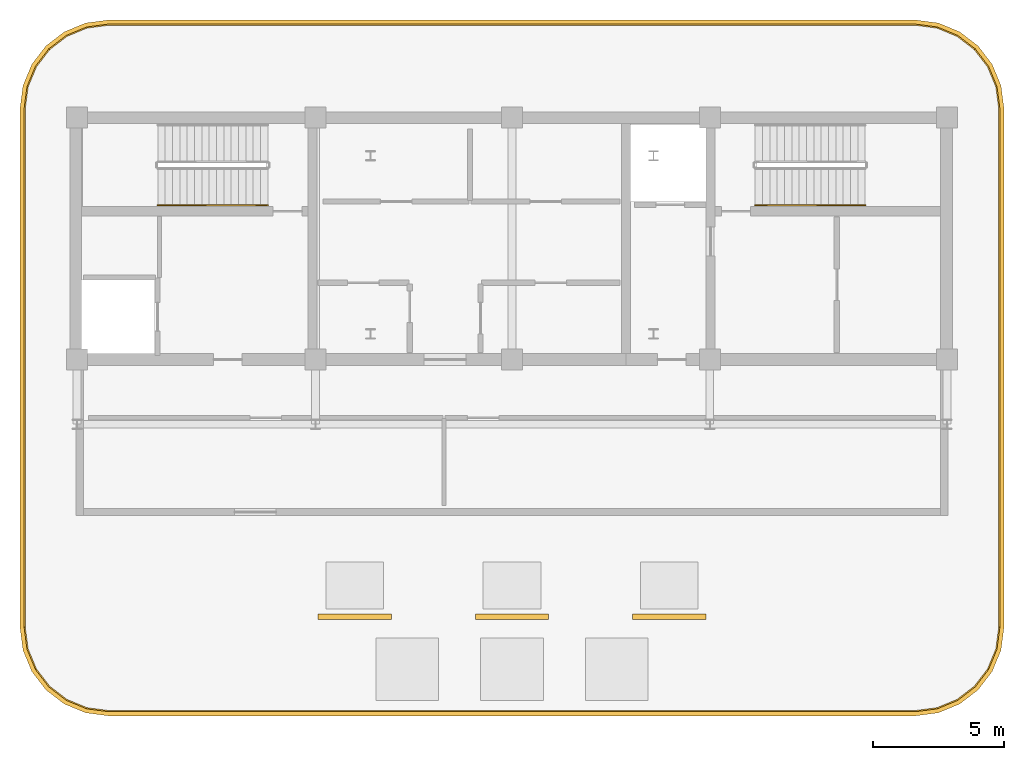
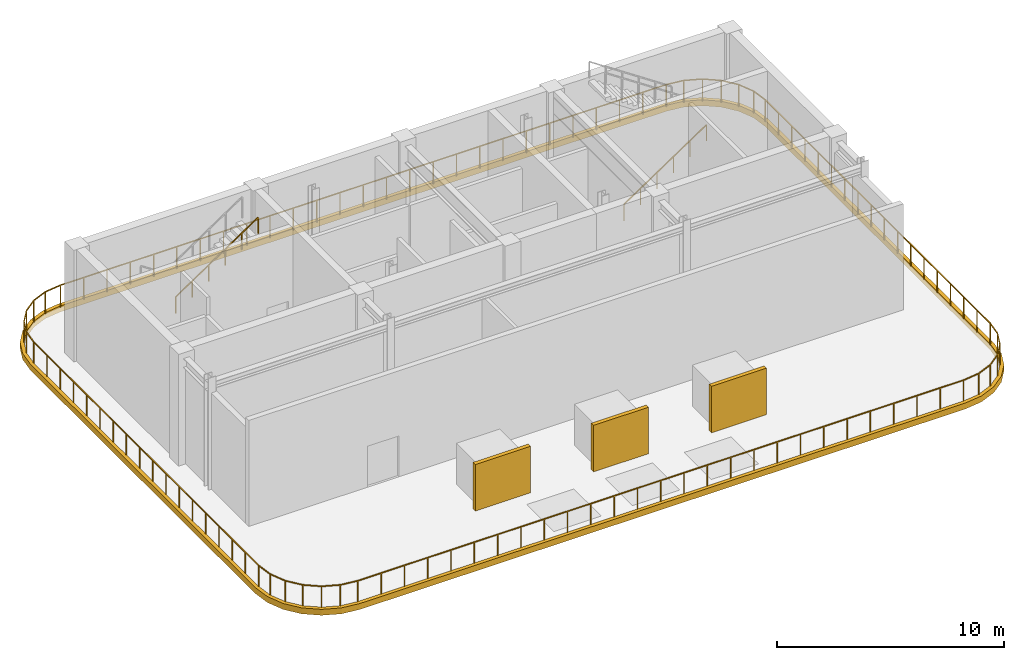
# One storey, part 3 of 4: 3 railings, 3 shading devices, 1 covering.
"""IFC4 building model written with IfcOpenShell, lengths in metres."""

from ifc_helpers import new_model, si_unit, direction, frame, origin, origin_2d, place, context, subcontext, project, spatial, polyline, rectangle, outline, extrude, material, layer, layer_set, type_object, element, save


model = new_model("IFC4")

# Units and contexts
model_context = context("Model", 3, precision=1e-05, world=origin(), true_north=direction((0.0, 1.0)))
body_context = subcontext(model_context, "Body", "Model", "MODEL_VIEW")
ifc_project = project(units=[si_unit("LENGTHUNIT", "METRE"), si_unit("AREAUNIT", "SQUARE_METRE"), si_unit("VOLUMEUNIT", "CUBIC_METRE"), si_unit("PLANEANGLEUNIT", "RADIAN"), si_unit("MASSUNIT", "GRAM", prefix="KILO")], contexts=[model_context])

# Site, building, storey
site_placement = place(None, origin())
site = spatial("IfcSite", under=ifc_project, at=site_placement, CompositionType="ELEMENT")
building_placement = place(site_placement, origin())
building = spatial("IfcBuilding", under=site, at=building_placement, Name="Zarnavel Station Tower", CompositionType="ELEMENT")
storey_placement = place(building_placement, frame((0.0, 0.0, 280.60009765625)))
storey = spatial("IfcBuildingStorey", under=building, at=storey_placement, Name="L76", CompositionType="ELEMENT", Elevation=280.60009765625)

# Covering
ifc_material_1 = material(Name="Precast concrete C45/55 (Pale Travertine Slab Band)", Category="masonry")
covering_type = type_object("IfcCoveringType", Name="COV_TRAVERTINE_BAND", PredefinedType="CLADDING", material=ifc_material_1)
covering_placement = place(storey_placement, frame((0.0, 0.0, -0.260009765625)))
element("IfcCovering", 1, at=covering_placement, inside=storey, type_object=covering_type, Name="L76 Pale Travertine Slab-Edge Band", PredefinedType="CLADDING", context=body_context, shape_type="SweptSolid", body=[
    extrude(outline(polyline([(44.199951171875, 14.219970703125), (45.07470703125, 14.335205078125), (45.889892578125, 14.6728515625), (46.590087890625, 15.2099609375), (47.127197265625, 15.909912109375), (47.46484375, 16.72509765625), (47.580078125, 17.60009765625), (47.580078125, 37.39990234375), (47.46484375, 38.27490234375), (47.127197265625, 39.090087890625), (46.590087890625, 39.7900390625), (45.889892578125, 40.3271484375), (45.07470703125, 40.664794921875), (44.199951171875, 40.780029296875), (13.39990234375, 40.780029296875), (12.525146484375, 40.664794921875), (11.7099609375, 40.3271484375), (11.010009765625, 39.7900390625), (10.472900390625, 39.090087890625), (10.13525390625, 38.27490234375), (10.02001953125, 37.39990234375), (10.02001953125, 17.60009765625), (10.13525390625, 16.72509765625), (10.472900390625, 15.909912109375), (11.010009765625, 15.2099609375), (11.7099609375, 14.6728515625), (12.525146484375, 14.335205078125), (13.39990234375, 14.219970703125), (44.199951171875, 14.219970703125)]), holes=[polyline([(44.199951171875, 14.39990234375), (45.0283203125, 14.509033203125), (45.800048828125, 14.82861328125), (46.462646484375, 15.33740234375), (46.97119140625, 16.0), (47.291015625, 16.771728515625), (47.39990234375, 17.60009765625), (47.39990234375, 37.39990234375), (47.291015625, 38.228271484375), (46.97119140625, 39.0), (46.462646484375, 39.66259765625), (45.800048828125, 40.17138671875), (45.0283203125, 40.490966796875), (44.199951171875, 40.60009765625), (13.39990234375, 40.60009765625), (12.57177734375, 40.490966796875), (11.800048828125, 40.17138671875), (11.13720703125, 39.66259765625), (10.628662109375, 39.0), (10.30908203125, 38.228271484375), (10.199951171875, 37.39990234375), (10.199951171875, 17.60009765625), (10.30908203125, 16.771728515625), (10.628662109375, 16.0), (11.13720703125, 15.33740234375), (11.800048828125, 14.82861328125), (12.57177734375, 14.509033203125), (13.39990234375, 14.39990234375), (44.199951171875, 14.39990234375)])]), origin(), (0.0, 0.0, 1.0), 0.31982421875),
])

# Railings
ifc_material_2 = material(Name="Black Coated Galvanised Steel S355J2 and Laminated Glass", Category="steel")
railing_type_1 = type_object("IfcRailingType", Name="GR_EXT_1200", PredefinedType="GUARDRAIL", material=ifc_material_2)
railing_placement = place(storey_placement, frame((44.199951171875, 14.39990234375, 0.0)))
element("IfcRailing", 2, at=railing_placement, inside=storey, type_object=railing_type_1, Name="L76 Venturi Wind-Slot Perimeter Guardrail", PredefinedType="GUARDRAIL", context=body_context, shape_type="SweptSolid", body=[
    extrude(rectangle(XDim=0.048095703125, YDim=0.048095703125, at=origin_2d()), frame((0.001953125, 0.000244140625, 1.17578125), z_axis=(0.991433397225, 0.130613241544, 0.0), x_axis=(-0.130613241544, 0.991433397225, 0.0)), (0.0, 0.0, 1.0), 0.83154296875),
    extrude(rectangle(XDim=0.048095703125, YDim=0.048095703125, at=origin_2d()), frame((0.830322265625, 0.10986328125, 1.17578125), z_axis=(0.923913534508, 0.382601333967, 0.0), x_axis=(-0.382601333967, 0.923913534508, 0.0)), (0.0, 0.0, 1.0), 0.831298828125),
    extrude(rectangle(XDim=0.048095703125, YDim=0.048095703125, at=origin_2d()), frame((1.6015625, 0.429931640625, 1.17578125), z_axis=(0.793145172168, 0.609032622991, 0.0), x_axis=(-0.609032622991, 0.793145172168, 0.0)), (0.0, 0.0, 1.0), 0.831298828125),
    extrude(rectangle(XDim=0.048095703125, YDim=0.048095703125, at=origin_2d()), frame((2.263916015625, 0.93896484375, 1.17578125), z_axis=(0.608848730431, 0.793286343922, 0.0), x_axis=(-0.793286343922, 0.608848730431, 0.0)), (0.0, 0.0, 1.0), 0.831298828125),
    extrude(rectangle(XDim=0.048095703125, YDim=0.048095703125, at=origin_2d()), frame((2.77197265625, 1.60205078125, 1.17578125), z_axis=(0.382850791505, 0.923810192325, 0.0), x_axis=(-0.923810192325, 0.382850791505, 0.0)), (0.0, 0.0, 1.0), 0.831298828125),
    extrude(rectangle(XDim=0.048095703125, YDim=0.048095703125, at=origin_2d()), frame((3.09130859375, 2.373779296875, 1.17578125), z_axis=(0.130326010341, 0.991471195259, 0.0), x_axis=(-0.991471195259, 0.130326010341, 0.0)), (0.0, 0.0, 1.0), 0.83154296875),
    extrude(rectangle(XDim=0.048095703125, YDim=0.048095703125, at=origin_2d()), frame((3.199951171875, 3.2021484375, 1.17578125), z_axis=(0.0, 1.0, 0.0), x_axis=(-1.0, 0.0, 0.0)), (0.0, 0.0, 1.0), 19.7958984375),
    extrude(rectangle(XDim=0.048095703125, YDim=0.048095703125, at=origin_2d()), frame((3.19970703125, 23.001953125, 1.17578125), z_axis=(-0.130326010341, 0.991471195259, 0.0), x_axis=(-0.991471195259, -0.130326010341, 0.0)), (0.0, 0.0, 1.0), 0.83154296875),
    extrude(rectangle(XDim=0.048095703125, YDim=0.048095703125, at=origin_2d()), frame((3.09033203125, 23.830322265625, 1.17578125), z_axis=(-0.382850791505, 0.923810192325, 0.0), x_axis=(-0.923810192325, -0.382850791505, 0.0)), (0.0, 0.0, 1.0), 0.831298828125),
    extrude(rectangle(XDim=0.048095703125, YDim=0.048095703125, at=origin_2d()), frame((2.77001953125, 24.6015625, 1.17578125), z_axis=(-0.608848730431, 0.793286343922, 0.0), x_axis=(-0.793286343922, -0.608848730431, 0.0)), (0.0, 0.0, 1.0), 0.831298828125),
    extrude(rectangle(XDim=0.048095703125, YDim=0.048095703125, at=origin_2d()), frame((2.26123046875, 25.263916015625, 1.17578125), z_axis=(-0.793145172168, 0.609032622991, 0.0), x_axis=(-0.609032622991, -0.793145172168, 0.0)), (0.0, 0.0, 1.0), 0.831298828125),
    extrude(rectangle(XDim=0.048095703125, YDim=0.048095703125, at=origin_2d()), frame((1.59814453125, 25.772216796875, 1.17578125), z_axis=(-0.923913534508, 0.382601333967, 0.0), x_axis=(-0.382601333967, -0.923913534508, 0.0)), (0.0, 0.0, 1.0), 0.831298828125),
    extrude(rectangle(XDim=0.048095703125, YDim=0.048095703125, at=origin_2d()), frame((0.826416015625, 26.09130859375, 1.17578125), z_axis=(-0.991433397225, 0.130613241544, 0.0), x_axis=(-0.130613241544, -0.991433397225, 0.0)), (0.0, 0.0, 1.0), 0.83154296875),
    extrude(rectangle(XDim=0.048095703125, YDim=0.048095703125, at=origin_2d()), frame((-0.001953125, 26.2001953125, 1.17578125), z_axis=(-1.0, 0.0, 0.0), x_axis=(0.0, -1.0, 0.0)), (0.0, 0.0, 1.0), 30.796142578125),
    extrude(rectangle(XDim=0.048095703125, YDim=0.048095703125, at=origin_2d()), frame((-30.802001953125, 26.199951171875, 1.17578125), z_axis=(-0.991428410185, -0.130651090611, 0.0), x_axis=(0.130651090611, -0.991428410185, 0.0)), (0.0, 0.0, 1.0), 0.831298828125),
    extrude(rectangle(XDim=0.048095703125, YDim=0.048095703125, at=origin_2d()), frame((-31.630126953125, 26.09033203125, 1.17578125), z_axis=(-0.923913534508, -0.382601333967, 0.0), x_axis=(0.382601333967, -0.923913534508, 0.0)), (0.0, 0.0, 1.0), 0.831298828125),
    extrude(rectangle(XDim=0.048095703125, YDim=0.048095703125, at=origin_2d()), frame((-32.4013671875, 25.770263671875, 1.17578125), z_axis=(-0.793253533159, -0.608891478123, 0.0), x_axis=(0.608891478123, -0.793253533159, 0.0)), (0.0, 0.0, 1.0), 0.83154296875),
    extrude(rectangle(XDim=0.048095703125, YDim=0.048095703125, at=origin_2d()), frame((-33.06396484375, 25.26123046875, 1.17578125), z_axis=(-0.608848730431, -0.793286343922, 0.0), x_axis=(0.793286343922, -0.608848730431, 0.0)), (0.0, 0.0, 1.0), 0.831298828125),
    extrude(rectangle(XDim=0.048095703125, YDim=0.048095703125, at=origin_2d()), frame((-33.572021484375, 24.59814453125, 1.17578125), z_axis=(-0.382601333967, -0.923913534508, 0.0), x_axis=(0.923913534508, -0.382601333967, 0.0)), (0.0, 0.0, 1.0), 0.831298828125),
    extrude(rectangle(XDim=0.048095703125, YDim=0.048095703125, at=origin_2d()), frame((-33.89111328125, 23.826416015625, 1.17578125), z_axis=(-0.130613241544, -0.991433397225, 0.0), x_axis=(0.991433397225, -0.130613241544, 0.0)), (0.0, 0.0, 1.0), 0.83154296875),
    extrude(rectangle(XDim=0.048095703125, YDim=0.048095703125, at=origin_2d()), frame((-34.0, 22.998046875, 1.17578125), z_axis=(0.0, -1.0, 0.0), x_axis=(1.0, 0.0, 0.0)), (0.0, 0.0, 1.0), 19.7958984375),
    extrude(rectangle(XDim=0.048095703125, YDim=0.048095703125, at=origin_2d()), frame((-33.999755859375, 3.1982421875, 1.17578125), z_axis=(0.130613241544, -0.991433397225, 0.0), x_axis=(0.991433397225, 0.130613241544, 0.0)), (0.0, 0.0, 1.0), 0.83154296875),
    extrude(rectangle(XDim=0.048095703125, YDim=0.048095703125, at=origin_2d()), frame((-33.89013671875, 2.369873046875, 1.17578125), z_axis=(0.382601333967, -0.923913534508, 0.0), x_axis=(0.923913534508, 0.382601333967, 0.0)), (0.0, 0.0, 1.0), 0.831298828125),
    extrude(rectangle(XDim=0.048095703125, YDim=0.048095703125, at=origin_2d()), frame((-33.570068359375, 1.5986328125, 1.17578125), z_axis=(0.608848730431, -0.793286343922, 0.0), x_axis=(0.793286343922, 0.608848730431, 0.0)), (0.0, 0.0, 1.0), 0.831298828125),
    extrude(rectangle(XDim=0.048095703125, YDim=0.048095703125, at=origin_2d()), frame((-33.061279296875, 0.936279296875, 1.17578125), z_axis=(0.793253533159, -0.608891478123, 0.0), x_axis=(0.608891478123, 0.793253533159, 0.0)), (0.0, 0.0, 1.0), 0.83154296875),
    extrude(rectangle(XDim=0.048095703125, YDim=0.048095703125, at=origin_2d()), frame((-32.39794921875, 0.427978515625, 1.17578125), z_axis=(0.923913534508, -0.382601333967, 0.0), x_axis=(0.382601333967, 0.923913534508, 0.0)), (0.0, 0.0, 1.0), 0.831298828125),
    extrude(rectangle(XDim=0.048095703125, YDim=0.048095703125, at=origin_2d()), frame((-31.626220703125, 0.10888671875, 1.17578125), z_axis=(0.991428410185, -0.130651090611, 0.0), x_axis=(0.130651090611, 0.991428410185, 0.0)), (0.0, 0.0, 1.0), 0.831298828125),
    extrude(rectangle(XDim=0.048095703125, YDim=0.048095703125, at=origin_2d()), frame((-30.798095703125, 0.0, 1.17578125), z_axis=(1.0, 0.0, 0.0), x_axis=(0.0, 1.0, 0.0)), (0.0, 0.0, 1.0), 30.796142578125),
    extrude(rectangle(XDim=0.0419921875, YDim=0.0419921875, at=origin_2d()), origin(), (0.0, 0.0, 1.0), 1.15185546875),
    extrude(rectangle(XDim=0.0419921875, YDim=0.0419921875, at=origin_2d()), frame((0.828369140625, 0.109130859375, 0.0)), (0.0, 0.0, 1.0), 1.15185546875),
    extrude(rectangle(XDim=0.0419921875, YDim=0.0419921875, at=origin_2d()), frame((1.60009765625, 0.4287109375, 0.0)), (0.0, 0.0, 1.0), 1.15185546875),
    extrude(rectangle(XDim=0.0419921875, YDim=0.0419921875, at=origin_2d()), frame((2.2626953125, 0.9375, 0.0)), (0.0, 0.0, 1.0), 1.15185546875),
    extrude(rectangle(XDim=0.0419921875, YDim=0.0419921875, at=origin_2d()), frame((2.771240234375, 1.60009765625, 0.0)), (0.0, 0.0, 1.0), 1.15185546875),
    extrude(rectangle(XDim=0.0419921875, YDim=0.0419921875, at=origin_2d()), frame((3.091064453125, 2.371826171875, 0.0)), (0.0, 0.0, 1.0), 1.15185546875),
    extrude(rectangle(XDim=0.0419921875, YDim=0.0419921875, at=origin_2d()), frame((3.199951171875, 3.2001953125, 0.0)), (0.0, 0.0, 1.0), 1.15185546875),
    extrude(rectangle(XDim=0.0419921875, YDim=0.0419921875, at=origin_2d()), frame((3.199951171875, 4.364990234375, 0.0)), (0.0, 0.0, 1.0), 1.15185546875),
    extrude(rectangle(XDim=0.0419921875, YDim=0.0419921875, at=origin_2d()), frame((3.199951171875, 5.529541015625, 0.0)), (0.0, 0.0, 1.0), 1.15185546875),
    extrude(rectangle(XDim=0.0419921875, YDim=0.0419921875, at=origin_2d()), frame((3.199951171875, 6.6943359375, 0.0)), (0.0, 0.0, 1.0), 1.15185546875),
    extrude(rectangle(XDim=0.0419921875, YDim=0.0419921875, at=origin_2d()), frame((3.199951171875, 7.85888671875, 0.0)), (0.0, 0.0, 1.0), 1.15185546875),
    extrude(rectangle(XDim=0.0419921875, YDim=0.0419921875, at=origin_2d()), frame((3.199951171875, 9.023681640625, 0.0)), (0.0, 0.0, 1.0), 1.15185546875),
    extrude(rectangle(XDim=0.0419921875, YDim=0.0419921875, at=origin_2d()), frame((3.199951171875, 10.1884765625, 0.0)), (0.0, 0.0, 1.0), 1.15185546875),
    extrude(rectangle(XDim=0.0419921875, YDim=0.0419921875, at=origin_2d()), frame((3.199951171875, 11.35302734375, 0.0)), (0.0, 0.0, 1.0), 1.15185546875),
    extrude(rectangle(XDim=0.0419921875, YDim=0.0419921875, at=origin_2d()), frame((3.199951171875, 12.517822265625, 0.0)), (0.0, 0.0, 1.0), 1.15185546875),
    extrude(rectangle(XDim=0.0419921875, YDim=0.0419921875, at=origin_2d()), frame((3.199951171875, 13.682373046875, 0.0)), (0.0, 0.0, 1.0), 1.15185546875),
    extrude(rectangle(XDim=0.0419921875, YDim=0.0419921875, at=origin_2d()), frame((3.199951171875, 14.84716796875, 0.0)), (0.0, 0.0, 1.0), 1.15185546875),
    extrude(rectangle(XDim=0.0419921875, YDim=0.0419921875, at=origin_2d()), frame((3.199951171875, 16.01171875, 0.0)), (0.0, 0.0, 1.0), 1.15185546875),
    extrude(rectangle(XDim=0.0419921875, YDim=0.0419921875, at=origin_2d()), frame((3.199951171875, 17.176513671875, 0.0)), (0.0, 0.0, 1.0), 1.15185546875),
    extrude(rectangle(XDim=0.0419921875, YDim=0.0419921875, at=origin_2d()), frame((3.199951171875, 18.34130859375, 0.0)), (0.0, 0.0, 1.0), 1.15185546875),
    extrude(rectangle(XDim=0.0419921875, YDim=0.0419921875, at=origin_2d()), frame((3.199951171875, 19.505859375, 0.0)), (0.0, 0.0, 1.0), 1.15185546875),
    extrude(rectangle(XDim=0.0419921875, YDim=0.0419921875, at=origin_2d()), frame((3.199951171875, 20.670654296875, 0.0)), (0.0, 0.0, 1.0), 1.15185546875),
    extrude(rectangle(XDim=0.0419921875, YDim=0.0419921875, at=origin_2d()), frame((3.199951171875, 21.835205078125, 0.0)), (0.0, 0.0, 1.0), 1.15185546875),
    extrude(rectangle(XDim=0.0419921875, YDim=0.0419921875, at=origin_2d()), frame((3.199951171875, 23.0, 0.0)), (0.0, 0.0, 1.0), 1.15185546875),
    extrude(rectangle(XDim=0.0419921875, YDim=0.0419921875, at=origin_2d()), frame((3.091064453125, 23.828369140625, 0.0)), (0.0, 0.0, 1.0), 1.15185546875),
    extrude(rectangle(XDim=0.0419921875, YDim=0.0419921875, at=origin_2d()), frame((2.771240234375, 24.60009765625, 0.0)), (0.0, 0.0, 1.0), 1.15185546875),
    extrude(rectangle(XDim=0.0419921875, YDim=0.0419921875, at=origin_2d()), frame((2.2626953125, 25.2626953125, 0.0)), (0.0, 0.0, 1.0), 1.15185546875),
    extrude(rectangle(XDim=0.0419921875, YDim=0.0419921875, at=origin_2d()), frame((1.60009765625, 25.771484375, 0.0)), (0.0, 0.0, 1.0), 1.15185546875),
    extrude(rectangle(XDim=0.0419921875, YDim=0.0419921875, at=origin_2d()), frame((0.828369140625, 26.091064453125, 0.0)), (0.0, 0.0, 1.0), 1.15185546875),
    extrude(rectangle(XDim=0.0419921875, YDim=0.0419921875, at=origin_2d()), frame((0.0, 26.2001953125, 0.0)), (0.0, 0.0, 1.0), 1.15185546875),
    extrude(rectangle(XDim=0.0419921875, YDim=0.0419921875, at=origin_2d()), frame((-1.1845703125, 26.2001953125, 0.0)), (0.0, 0.0, 1.0), 1.15185546875),
    extrude(rectangle(XDim=0.0419921875, YDim=0.0419921875, at=origin_2d()), frame((-2.369140625, 26.2001953125, 0.0)), (0.0, 0.0, 1.0), 1.15185546875),
    extrude(rectangle(XDim=0.0419921875, YDim=0.0419921875, at=origin_2d()), frame((-3.553955078125, 26.2001953125, 0.0)), (0.0, 0.0, 1.0), 1.15185546875),
    extrude(rectangle(XDim=0.0419921875, YDim=0.0419921875, at=origin_2d()), frame((-4.738525390625, 26.2001953125, 0.0)), (0.0, 0.0, 1.0), 1.15185546875),
    extrude(rectangle(XDim=0.0419921875, YDim=0.0419921875, at=origin_2d()), frame((-5.923095703125, 26.2001953125, 0.0)), (0.0, 0.0, 1.0), 1.15185546875),
    extrude(rectangle(XDim=0.0419921875, YDim=0.0419921875, at=origin_2d()), frame((-7.107666015625, 26.2001953125, 0.0)), (0.0, 0.0, 1.0), 1.15185546875),
    extrude(rectangle(XDim=0.0419921875, YDim=0.0419921875, at=origin_2d()), frame((-8.292236328125, 26.2001953125, 0.0)), (0.0, 0.0, 1.0), 1.15185546875),
    extrude(rectangle(XDim=0.0419921875, YDim=0.0419921875, at=origin_2d()), frame((-9.47705078125, 26.2001953125, 0.0)), (0.0, 0.0, 1.0), 1.15185546875),
    extrude(rectangle(XDim=0.0419921875, YDim=0.0419921875, at=origin_2d()), frame((-10.66162109375, 26.2001953125, 0.0)), (0.0, 0.0, 1.0), 1.15185546875),
    extrude(rectangle(XDim=0.0419921875, YDim=0.0419921875, at=origin_2d()), frame((-11.84619140625, 26.2001953125, 0.0)), (0.0, 0.0, 1.0), 1.15185546875),
    extrude(rectangle(XDim=0.0419921875, YDim=0.0419921875, at=origin_2d()), frame((-13.03076171875, 26.2001953125, 0.0)), (0.0, 0.0, 1.0), 1.15185546875),
    extrude(rectangle(XDim=0.0419921875, YDim=0.0419921875, at=origin_2d()), frame((-14.21533203125, 26.2001953125, 0.0)), (0.0, 0.0, 1.0), 1.15185546875),
    extrude(rectangle(XDim=0.0419921875, YDim=0.0419921875, at=origin_2d()), frame((-15.39990234375, 26.2001953125, 0.0)), (0.0, 0.0, 1.0), 1.15185546875),
    extrude(rectangle(XDim=0.0419921875, YDim=0.0419921875, at=origin_2d()), frame((-16.584716796875, 26.2001953125, 0.0)), (0.0, 0.0, 1.0), 1.15185546875),
    extrude(rectangle(XDim=0.0419921875, YDim=0.0419921875, at=origin_2d()), frame((-17.769287109375, 26.2001953125, 0.0)), (0.0, 0.0, 1.0), 1.15185546875),
    extrude(rectangle(XDim=0.0419921875, YDim=0.0419921875, at=origin_2d()), frame((-18.953857421875, 26.2001953125, 0.0)), (0.0, 0.0, 1.0), 1.15185546875),
    extrude(rectangle(XDim=0.0419921875, YDim=0.0419921875, at=origin_2d()), frame((-20.138427734375, 26.2001953125, 0.0)), (0.0, 0.0, 1.0), 1.15185546875),
    extrude(rectangle(XDim=0.0419921875, YDim=0.0419921875, at=origin_2d()), frame((-21.322998046875, 26.2001953125, 0.0)), (0.0, 0.0, 1.0), 1.15185546875),
    extrude(rectangle(XDim=0.0419921875, YDim=0.0419921875, at=origin_2d()), frame((-22.5078125, 26.2001953125, 0.0)), (0.0, 0.0, 1.0), 1.15185546875),
    extrude(rectangle(XDim=0.0419921875, YDim=0.0419921875, at=origin_2d()), frame((-23.6923828125, 26.2001953125, 0.0)), (0.0, 0.0, 1.0), 1.15185546875),
    extrude(rectangle(XDim=0.0419921875, YDim=0.0419921875, at=origin_2d()), frame((-24.876953125, 26.2001953125, 0.0)), (0.0, 0.0, 1.0), 1.15185546875),
    extrude(rectangle(XDim=0.0419921875, YDim=0.0419921875, at=origin_2d()), frame((-26.0615234375, 26.2001953125, 0.0)), (0.0, 0.0, 1.0), 1.15185546875),
    extrude(rectangle(XDim=0.0419921875, YDim=0.0419921875, at=origin_2d()), frame((-27.24609375, 26.2001953125, 0.0)), (0.0, 0.0, 1.0), 1.15185546875),
    extrude(rectangle(XDim=0.0419921875, YDim=0.0419921875, at=origin_2d()), frame((-28.430908203125, 26.2001953125, 0.0)), (0.0, 0.0, 1.0), 1.15185546875),
    extrude(rectangle(XDim=0.0419921875, YDim=0.0419921875, at=origin_2d()), frame((-29.615478515625, 26.2001953125, 0.0)), (0.0, 0.0, 1.0), 1.15185546875),
    extrude(rectangle(XDim=0.0419921875, YDim=0.0419921875, at=origin_2d()), frame((-30.800048828125, 26.2001953125, 0.0)), (0.0, 0.0, 1.0), 1.15185546875),
    extrude(rectangle(XDim=0.0419921875, YDim=0.0419921875, at=origin_2d()), frame((-31.628173828125, 26.091064453125, 0.0)), (0.0, 0.0, 1.0), 1.15185546875),
    extrude(rectangle(XDim=0.0419921875, YDim=0.0419921875, at=origin_2d()), frame((-32.39990234375, 25.771484375, 0.0)), (0.0, 0.0, 1.0), 1.15185546875),
    extrude(rectangle(XDim=0.0419921875, YDim=0.0419921875, at=origin_2d()), frame((-33.062744140625, 25.2626953125, 0.0)), (0.0, 0.0, 1.0), 1.15185546875),
    extrude(rectangle(XDim=0.0419921875, YDim=0.0419921875, at=origin_2d()), frame((-33.5712890625, 24.60009765625, 0.0)), (0.0, 0.0, 1.0), 1.15185546875),
    extrude(rectangle(XDim=0.0419921875, YDim=0.0419921875, at=origin_2d()), frame((-33.890869140625, 23.828369140625, 0.0)), (0.0, 0.0, 1.0), 1.15185546875),
    extrude(rectangle(XDim=0.0419921875, YDim=0.0419921875, at=origin_2d()), frame((-34.0, 23.0, 0.0)), (0.0, 0.0, 1.0), 1.15185546875),
    extrude(rectangle(XDim=0.0419921875, YDim=0.0419921875, at=origin_2d()), frame((-34.0, 21.835205078125, 0.0)), (0.0, 0.0, 1.0), 1.15185546875),
    extrude(rectangle(XDim=0.0419921875, YDim=0.0419921875, at=origin_2d()), frame((-34.0, 20.670654296875, 0.0)), (0.0, 0.0, 1.0), 1.15185546875),
    extrude(rectangle(XDim=0.0419921875, YDim=0.0419921875, at=origin_2d()), frame((-34.0, 19.505859375, 0.0)), (0.0, 0.0, 1.0), 1.15185546875),
    extrude(rectangle(XDim=0.0419921875, YDim=0.0419921875, at=origin_2d()), frame((-34.0, 18.34130859375, 0.0)), (0.0, 0.0, 1.0), 1.15185546875),
    extrude(rectangle(XDim=0.0419921875, YDim=0.0419921875, at=origin_2d()), frame((-34.0, 17.176513671875, 0.0)), (0.0, 0.0, 1.0), 1.15185546875),
    extrude(rectangle(XDim=0.0419921875, YDim=0.0419921875, at=origin_2d()), frame((-34.0, 16.01171875, 0.0)), (0.0, 0.0, 1.0), 1.15185546875),
    extrude(rectangle(XDim=0.0419921875, YDim=0.0419921875, at=origin_2d()), frame((-34.0, 14.84716796875, 0.0)), (0.0, 0.0, 1.0), 1.15185546875),
    extrude(rectangle(XDim=0.0419921875, YDim=0.0419921875, at=origin_2d()), frame((-34.0, 13.682373046875, 0.0)), (0.0, 0.0, 1.0), 1.15185546875),
    extrude(rectangle(XDim=0.0419921875, YDim=0.0419921875, at=origin_2d()), frame((-34.0, 12.517822265625, 0.0)), (0.0, 0.0, 1.0), 1.15185546875),
    extrude(rectangle(XDim=0.0419921875, YDim=0.0419921875, at=origin_2d()), frame((-34.0, 11.35302734375, 0.0)), (0.0, 0.0, 1.0), 1.15185546875),
    extrude(rectangle(XDim=0.0419921875, YDim=0.0419921875, at=origin_2d()), frame((-34.0, 10.1884765625, 0.0)), (0.0, 0.0, 1.0), 1.15185546875),
    extrude(rectangle(XDim=0.0419921875, YDim=0.0419921875, at=origin_2d()), frame((-34.0, 9.023681640625, 0.0)), (0.0, 0.0, 1.0), 1.15185546875),
    extrude(rectangle(XDim=0.0419921875, YDim=0.0419921875, at=origin_2d()), frame((-34.0, 7.85888671875, 0.0)), (0.0, 0.0, 1.0), 1.15185546875),
    extrude(rectangle(XDim=0.0419921875, YDim=0.0419921875, at=origin_2d()), frame((-34.0, 6.6943359375, 0.0)), (0.0, 0.0, 1.0), 1.15185546875),
    extrude(rectangle(XDim=0.0419921875, YDim=0.0419921875, at=origin_2d()), frame((-34.0, 5.529541015625, 0.0)), (0.0, 0.0, 1.0), 1.15185546875),
    extrude(rectangle(XDim=0.0419921875, YDim=0.0419921875, at=origin_2d()), frame((-34.0, 4.364990234375, 0.0)), (0.0, 0.0, 1.0), 1.15185546875),
    extrude(rectangle(XDim=0.0419921875, YDim=0.0419921875, at=origin_2d()), frame((-34.0, 3.2001953125, 0.0)), (0.0, 0.0, 1.0), 1.15185546875),
    extrude(rectangle(XDim=0.0419921875, YDim=0.0419921875, at=origin_2d()), frame((-33.890869140625, 2.371826171875, 0.0)), (0.0, 0.0, 1.0), 1.15185546875),
    extrude(rectangle(XDim=0.0419921875, YDim=0.0419921875, at=origin_2d()), frame((-33.5712890625, 1.60009765625, 0.0)), (0.0, 0.0, 1.0), 1.15185546875),
    extrude(rectangle(XDim=0.0419921875, YDim=0.0419921875, at=origin_2d()), frame((-33.062744140625, 0.9375, 0.0)), (0.0, 0.0, 1.0), 1.15185546875),
    extrude(rectangle(XDim=0.0419921875, YDim=0.0419921875, at=origin_2d()), frame((-32.39990234375, 0.4287109375, 0.0)), (0.0, 0.0, 1.0), 1.15185546875),
    extrude(rectangle(XDim=0.0419921875, YDim=0.0419921875, at=origin_2d()), frame((-31.628173828125, 0.109130859375, 0.0)), (0.0, 0.0, 1.0), 1.15185546875),
    extrude(rectangle(XDim=0.0419921875, YDim=0.0419921875, at=origin_2d()), frame((-30.800048828125, 0.0, 0.0)), (0.0, 0.0, 1.0), 1.15185546875),
    extrude(rectangle(XDim=0.0419921875, YDim=0.0419921875, at=origin_2d()), frame((-29.615478515625, 0.0, 0.0)), (0.0, 0.0, 1.0), 1.15185546875),
    extrude(rectangle(XDim=0.0419921875, YDim=0.0419921875, at=origin_2d()), frame((-28.430908203125, 0.0, 0.0)), (0.0, 0.0, 1.0), 1.15185546875),
    extrude(rectangle(XDim=0.0419921875, YDim=0.0419921875, at=origin_2d()), frame((-27.24609375, 0.0, 0.0)), (0.0, 0.0, 1.0), 1.15185546875),
    extrude(rectangle(XDim=0.0419921875, YDim=0.0419921875, at=origin_2d()), frame((-26.0615234375, 0.0, 0.0)), (0.0, 0.0, 1.0), 1.15185546875),
    extrude(rectangle(XDim=0.0419921875, YDim=0.0419921875, at=origin_2d()), frame((-24.876953125, 0.0, 0.0)), (0.0, 0.0, 1.0), 1.15185546875),
    extrude(rectangle(XDim=0.0419921875, YDim=0.0419921875, at=origin_2d()), frame((-23.6923828125, 0.0, 0.0)), (0.0, 0.0, 1.0), 1.15185546875),
    extrude(rectangle(XDim=0.0419921875, YDim=0.0419921875, at=origin_2d()), frame((-22.5078125, 0.0, 0.0)), (0.0, 0.0, 1.0), 1.15185546875),
    extrude(rectangle(XDim=0.0419921875, YDim=0.0419921875, at=origin_2d()), frame((-21.322998046875, 0.0, 0.0)), (0.0, 0.0, 1.0), 1.15185546875),
    extrude(rectangle(XDim=0.0419921875, YDim=0.0419921875, at=origin_2d()), frame((-20.138427734375, 0.0, 0.0)), (0.0, 0.0, 1.0), 1.15185546875),
    extrude(rectangle(XDim=0.0419921875, YDim=0.0419921875, at=origin_2d()), frame((-18.953857421875, 0.0, 0.0)), (0.0, 0.0, 1.0), 1.15185546875),
    extrude(rectangle(XDim=0.0419921875, YDim=0.0419921875, at=origin_2d()), frame((-17.769287109375, 0.0, 0.0)), (0.0, 0.0, 1.0), 1.15185546875),
    extrude(rectangle(XDim=0.0419921875, YDim=0.0419921875, at=origin_2d()), frame((-16.584716796875, 0.0, 0.0)), (0.0, 0.0, 1.0), 1.15185546875),
    extrude(rectangle(XDim=0.0419921875, YDim=0.0419921875, at=origin_2d()), frame((-15.39990234375, 0.0, 0.0)), (0.0, 0.0, 1.0), 1.15185546875),
    extrude(rectangle(XDim=0.0419921875, YDim=0.0419921875, at=origin_2d()), frame((-14.21533203125, 0.0, 0.0)), (0.0, 0.0, 1.0), 1.15185546875),
    extrude(rectangle(XDim=0.0419921875, YDim=0.0419921875, at=origin_2d()), frame((-13.03076171875, 0.0, 0.0)), (0.0, 0.0, 1.0), 1.15185546875),
    extrude(rectangle(XDim=0.0419921875, YDim=0.0419921875, at=origin_2d()), frame((-11.84619140625, 0.0, 0.0)), (0.0, 0.0, 1.0), 1.15185546875),
    extrude(rectangle(XDim=0.0419921875, YDim=0.0419921875, at=origin_2d()), frame((-10.66162109375, 0.0, 0.0)), (0.0, 0.0, 1.0), 1.15185546875),
    extrude(rectangle(XDim=0.0419921875, YDim=0.0419921875, at=origin_2d()), frame((-9.47705078125, 0.0, 0.0)), (0.0, 0.0, 1.0), 1.15185546875),
    extrude(rectangle(XDim=0.0419921875, YDim=0.0419921875, at=origin_2d()), frame((-8.292236328125, 0.0, 0.0)), (0.0, 0.0, 1.0), 1.15185546875),
    extrude(rectangle(XDim=0.0419921875, YDim=0.0419921875, at=origin_2d()), frame((-7.107666015625, 0.0, 0.0)), (0.0, 0.0, 1.0), 1.15185546875),
    extrude(rectangle(XDim=0.0419921875, YDim=0.0419921875, at=origin_2d()), frame((-5.923095703125, 0.0, 0.0)), (0.0, 0.0, 1.0), 1.15185546875),
    extrude(rectangle(XDim=0.0419921875, YDim=0.0419921875, at=origin_2d()), frame((-4.738525390625, 0.0, 0.0)), (0.0, 0.0, 1.0), 1.15185546875),
    extrude(rectangle(XDim=0.0419921875, YDim=0.0419921875, at=origin_2d()), frame((-3.553955078125, 0.0, 0.0)), (0.0, 0.0, 1.0), 1.15185546875),
    extrude(rectangle(XDim=0.0419921875, YDim=0.0419921875, at=origin_2d()), frame((-2.369140625, 0.0, 0.0)), (0.0, 0.0, 1.0), 1.15185546875),
    extrude(rectangle(XDim=0.0419921875, YDim=0.0419921875, at=origin_2d()), frame((-1.1845703125, 0.0, 0.0)), (0.0, 0.0, 1.0), 1.15185546875),
])
ifc_material_3 = material(Name="Brushed Stainless Steel S355J2 Handrail", Category="steel")
railing_type_2 = type_object("IfcRailingType", Name="HR_STAIR_900", PredefinedType="HANDRAIL", material=ifc_material_3)
for number, where, name in (
    (3, (15.280029296875, 33.7099609375, 3.1875), "L76 ST1 stair handrail 2"),
    (4, (38.080078125, 33.7099609375, 0.1875), "L76 ST2 stair handrail 1"),
):
    element("IfcRailing", number, at=place(storey_placement, frame(where)), inside=storey, type_object=railing_type_2, Name=name, PredefinedType="HANDRAIL", context=body_context, shape_type="SweptSolid", body=[
        extrude(rectangle(XDim=0.048095703125, YDim=0.048095703125, at=origin_2d()), frame((0.001708984375, 0.0, 0.876953125), z_axis=(0.830904186295, 0.0, 0.556415522067), x_axis=(0.0, 1.0, 0.0)), (0.0, 0.0, 1.0), 5.05078125),
        extrude(rectangle(XDim=0.0419921875, YDim=0.0419921875, at=origin_2d()), origin(), (0.0, 0.0, 1.0), 0.851806640625),
        extrude(rectangle(XDim=0.0419921875, YDim=0.0419921875, at=origin_2d()), frame((0.840087890625, 0.0, 0.5625)), (0.0, 0.0, 1.0), 0.851806640625),
        extrude(rectangle(XDim=0.0419921875, YDim=0.0419921875, at=origin_2d()), frame((1.679931640625, 0.0, 1.125)), (0.0, 0.0, 1.0), 0.851806640625),
        extrude(rectangle(XDim=0.0419921875, YDim=0.0419921875, at=origin_2d()), frame((2.52001953125, 0.0, 1.6875)), (0.0, 0.0, 1.0), 0.851806640625),
        extrude(rectangle(XDim=0.0419921875, YDim=0.0419921875, at=origin_2d()), frame((3.35986328125, 0.0, 2.25)), (0.0, 0.0, 1.0), 0.851806640625),
        extrude(rectangle(XDim=0.0419921875, YDim=0.0419921875, at=origin_2d()), frame((4.199951171875, 0.0, 2.8125)), (0.0, 0.0, 1.0), 0.851806640625),
    ])

# Shading devices
ifc_material_4 = material(Name="Perforated Black Anodised Aluminium Screen", Category="aluminium")
ifc_layer = layer(ifc_material_4, 0.199951171875)
ifc_layer_set = layer_set([ifc_layer], Name="SHD_LOUVRE_SCREEN")
shading_device_type = type_object("IfcShadingDeviceType", Name="SHD_LOUVRE_SCREEN", PredefinedType="JALOUSIE", material=ifc_layer_set)
for number, where, z_axis, x_axis, name in (
    (5, (22.800048828125, 18.0, 0.0), (0.0, 0.0, 1.0), (1.0, 0.0, 0.0), "L76 Aerodynamic Venturi Turbine Baffle 1"),
    (6, (28.800048828125, 18.0, 0.0), (0.0, 0.0, 1.0), (1.0, 0.0, 0.0), "L76 Aerodynamic Venturi Turbine Baffle 2"),
    (7, (34.800048828125, 18.0, 0.0), (0.0, 0.0, 1.0), (1.0, 0.0, 0.0), "L76 Aerodynamic Venturi Turbine Baffle 3"),
):
    element("IfcShadingDevice", number, at=place(storey_placement, frame(where, z_axis=z_axis, x_axis=x_axis)), inside=storey, type_object=shading_device_type, Name=name, PredefinedType="JALOUSIE", context=body_context, shape_type="SweptSolid", body=[
        extrude(rectangle(XDim=2.800048828125, YDim=0.199951171875, at=origin_2d()), origin(), (0.0, 0.0, 1.0), 2.5),
    ])

save(model, "model.ifc")
